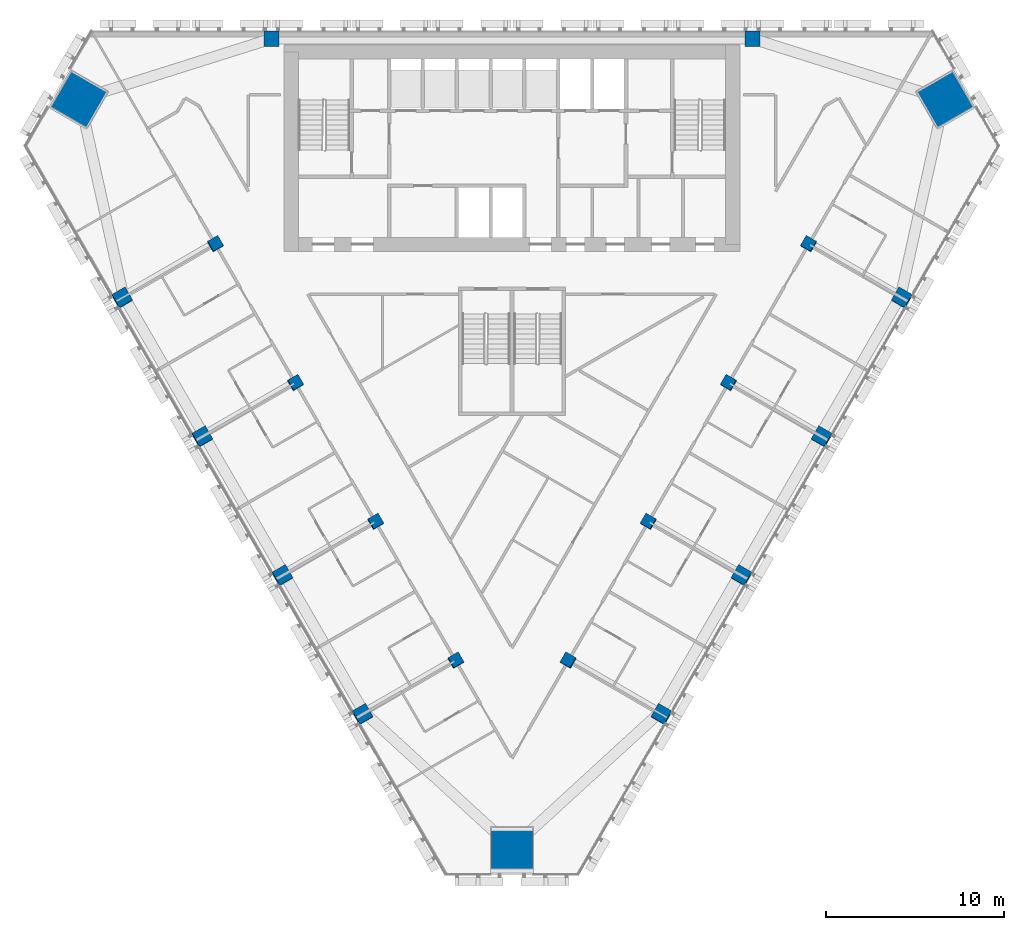
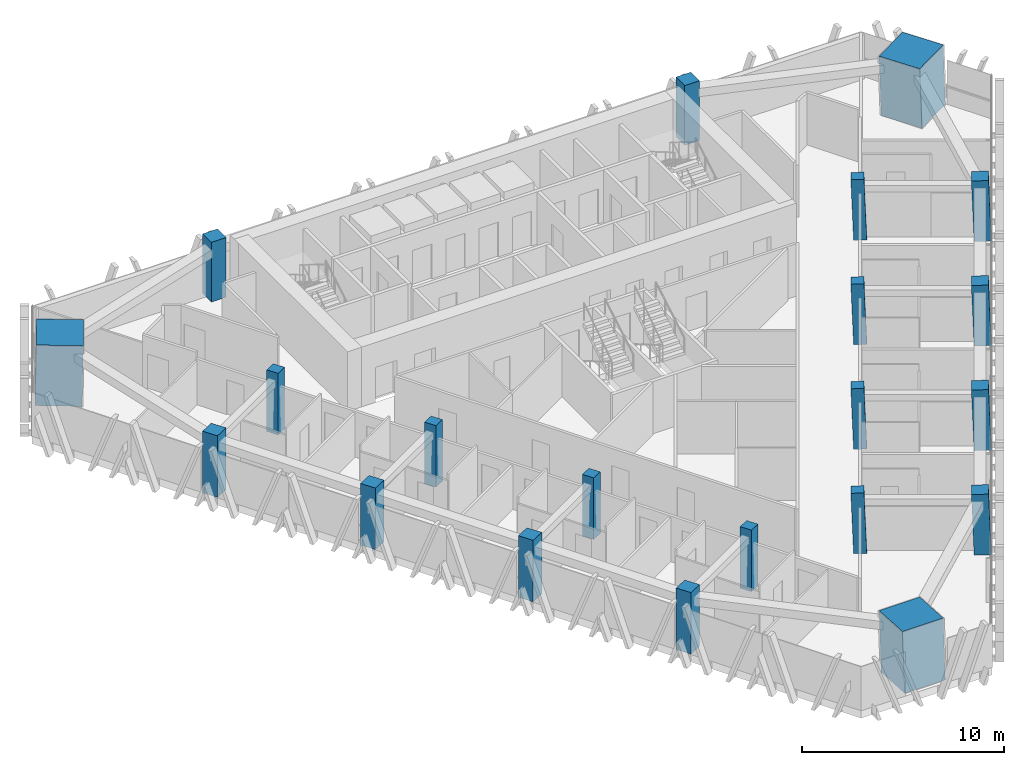
# One storey, part 1 of 16: 21 columns.
"""IFC4 building model written with IfcOpenShell, lengths in metres."""

from ifc_helpers import new_model, si_unit, direction, frame, origin, origin_2d, place, context, subcontext, project, spatial, rectangle, extrude, material, material_profile, profile_set, type_object, element, save


model = new_model("IFC4")

# Units and contexts
model_context = context("Model", 3, precision=1e-05, world=origin(), true_north=direction((0.0, 1.0)))
body_context = subcontext(model_context, "Body", "Model", "MODEL_VIEW")
ifc_project = project(units=[si_unit("LENGTHUNIT", "METRE"), si_unit("AREAUNIT", "SQUARE_METRE"), si_unit("VOLUMEUNIT", "CUBIC_METRE"), si_unit("PLANEANGLEUNIT", "RADIAN"), si_unit("MASSUNIT", "GRAM", prefix="KILO")], contexts=[model_context])

# Site, building, storey
site_placement = place(None, origin())
site = spatial("IfcSite", under=ifc_project, at=site_placement, CompositionType="ELEMENT")
building_placement = place(site_placement, origin())
building = spatial("IfcBuilding", under=site, at=building_placement, Name="Altiplano Prism Tower", CompositionType="ELEMENT")
storey_placement = place(building_placement, frame((0.0, 0.0, 145.800048828125)))
storey = spatial("IfcBuildingStorey", under=building, at=storey_placement, Name="L37", CompositionType="ELEMENT", Elevation=145.800048828125)

# Columns
ifc_material_1 = material(Name="Concrete C60/75", Category="concrete")
ifc_material_profile_1 = material_profile(ifc_material_1, rectangle(XDim=0.64990234375, YDim=0.64990234375, at=origin_2d()), Name="Inner column 650")
ifc_profile_set_1 = profile_set([ifc_material_profile_1], Name="Concrete C60/75")
column_type_1 = type_object("IfcColumnType", Name="Inner column 650", PredefinedType="COLUMN", material=ifc_profile_set_1)
for number, where, z_axis, x_axis, name in (
    (1, (68.331787109375, 93.0126953125, -0.019775390625), (0.022221406801, 0.038413224561, 0.999014831351), (-0.866024047958, -0.498523147388, 0.038432016296), "Inner column I11 L37"),
    (2, (72.831787109375, 85.21826171875, -0.019775390625), (0.02222134892, 0.038480872521, 0.999012229206), (-0.86564209005, -0.49918218391, 0.038482713007), "Inner column I12 L37"),
    (3, (77.331787109375, 77.424072265625, -0.019775390625), (0.02222134892, 0.038480872521, 0.999012229206), (-0.86564209005, -0.49918218391, 0.038482713007), "Inner column I13 L37"),
    (4, (81.831787109375, 69.6298828125, -0.019775390625), (0.02222134892, 0.038480872521, 0.999012229206), (-0.86564209005, -0.49918218391, 0.038482713007), "Inner column I14 L37"),
    (5, (88.168212890625, 69.6298828125, -0.019775390625), (-0.02222134892, 0.038480872521, 0.999012229206), (-0.500169954701, -0.865642171868, 0.022218161432), "Inner column I21 L37"),
    (6, (92.668212890625, 77.424072265625, -0.019775390625), (-0.02222134892, 0.038480872521, 0.999012229206), (-0.500169954701, -0.865642171868, 0.022218161432), "Inner column I22 L37"),
    (7, (97.168212890625, 85.21826171875, -0.019775390625), (-0.02222134892, 0.038480872521, 0.999012229206), (-0.500174592943, -0.865639497158, 0.022217955235), "Inner column I23 L37"),
    (8, (101.668212890625, 93.0126953125, -0.019775390625), (-0.022221406801, 0.038413224561, 0.999014831351), (-0.499512940858, -0.866022219206, 0.022188685317), "Inner column I24 L37"),
):
    element("IfcColumn", number, at=place(storey_placement, frame(where, z_axis=z_axis, x_axis=x_axis)), inside=storey, type_object=column_type_1, Name=name, PredefinedType="COLUMN", context=body_context, shape_type="SweptSolid", body=[
        extrude(rectangle(XDim=0.64990234375, YDim=0.64990234375, at=origin_2d()), origin(), (0.0, 0.0, 1.0), 3.603759765625),
    ])
ifc_material_2 = material(Name="Concrete C70/85", Category="concrete")
ifc_material_profile_2 = material_profile(ifc_material_2, rectangle(XDim=2.320068359375, YDim=2.320068359375, at=origin_2d()), Name="Mega column infill 2400")
ifc_profile_set_2 = profile_set([ifc_material_profile_2], Name="Concrete C70/85")
column_type_2 = type_object("IfcColumnType", Name="Mega column infill 2400", PredefinedType="COLUMN", material=ifc_profile_set_2)
column_1_placement = place(storey_placement, frame((60.626953125, 101.11962890625, 0.0), z_axis=(0.028403721265, 0.009287135593, 0.999553389135), x_axis=(-0.866201877506, 0.49929479911, 0.019975259356)))
element("IfcColumn", 9, at=column_1_placement, inside=storey, type_object=column_type_2, Name="Mega column M0 L37", PredefinedType="COLUMN", context=body_context, shape_type="SweptSolid", body=[
    extrude(rectangle(XDim=2.320068359375, YDim=2.320068359375, at=origin_2d()), origin(), (0.0, 0.0, 1.0), 3.6015625),
])
column_2_placement = place(storey_placement, frame((85.0, 58.904541015625, 0.0), z_axis=(0.0, 0.058360852261, 0.998295552892), x_axis=(-1.0, 0.0, 0.0)))
element("IfcColumn", 10, at=column_2_placement, inside=storey, type_object=column_type_2, Name="Mega column M1 L37", PredefinedType="COLUMN", context=body_context, shape_type="SweptSolid", body=[
    extrude(rectangle(XDim=2.320068359375, YDim=2.320068359375, at=origin_2d()), origin(), (0.0, 0.0, 1.0), 3.60595703125),
])
column_3_placement = place(storey_placement, frame((109.373046875, 101.11962890625, 0.0), z_axis=(-0.028403721265, 0.009287135593, 0.999553389135), x_axis=(0.498883801201, -0.866383831898, 0.022226307065)))
element("IfcColumn", 11, at=column_3_placement, inside=storey, type_object=column_type_2, Name="Mega column M2 L37", PredefinedType="COLUMN", context=body_context, shape_type="SweptSolid", body=[
    extrude(rectangle(XDim=2.320068359375, YDim=2.320068359375, at=origin_2d()), origin(), (0.0, 0.0, 1.0), 3.6015625),
])
ifc_material_profile_3 = material_profile(ifc_material_1, rectangle(XDim=0.85009765625, YDim=0.85009765625, at=origin_2d()), Name="Perimeter column 850")
ifc_profile_set_3 = profile_set([ifc_material_profile_3], Name="Concrete C60/75")
column_type_3 = type_object("IfcColumnType", Name="Perimeter column 850", PredefinedType="COLUMN", material=ifc_profile_set_3)
for number, where, z_axis, x_axis, name in (
    (12, (98.5, 104.550048828125, 0.0), (0.0, 0.0, 1.0), (1.0, 0.0, 0.0), "Perimeter column P01 L37"),
    (13, (71.5, 104.550048828125, 0.0), (0.0, 0.0, 1.0), (1.0, 0.0, 0.0), "Perimeter column P04 L37"),
):
    element("IfcColumn", number, at=place(storey_placement, frame(where, z_axis=z_axis, x_axis=x_axis)), inside=storey, type_object=column_type_3, Name=name, PredefinedType="COLUMN", context=body_context, shape_type="SweptSolid", body=[
        extrude(rectangle(XDim=0.85009765625, YDim=0.85009765625, at=origin_2d()), origin(), (0.0, 0.0, 1.0), 3.599853515625),
    ])
for number, where, z_axis, x_axis, name in (
    (14, (63.09228515625, 89.9873046875, -0.02587890625), (0.02222134892, 0.038480872521, 0.999012229206), (-0.86564209005, -0.49918218391, 0.038482713007), "Perimeter column P11 L37"),
    (15, (67.59228515625, 82.193115234375, -0.02587890625), (0.02222134892, 0.038480872521, 0.999012229206), (-0.86564209005, -0.49918218391, 0.038482713007), "Perimeter column P12 L37"),
    (16, (72.09228515625, 74.39892578125, -0.02587890625), (0.022221406801, 0.038413224561, 0.999014831351), (-0.866024056676, -0.498523132273, 0.038432015909), "Perimeter column P13 L37"),
    (17, (76.59228515625, 66.604736328125, -0.02587890625), (0.022221406801, 0.038413224561, 0.999014831351), (-0.866024056676, -0.498523132273, 0.038432015909), "Perimeter column P14 L37"),
    (18, (93.40771484375, 66.604736328125, -0.02587890625), (-0.022221406801, 0.038413224561, 0.999014831351), (-0.499508300569, -0.866024890386, 0.022188891243), "Perimeter column P21 L37"),
    (19, (97.90771484375, 74.39892578125, -0.02587890625), (-0.022221406801, 0.038413224561, 0.999014831351), (-0.499508300569, -0.866024890386, 0.022188891243), "Perimeter column P22 L37"),
    (20, (102.40771484375, 82.193115234375, -0.02587890625), (-0.02222134892, 0.038480872521, 0.999012229206), (-0.500174577835, -0.86563950587, 0.022217955907), "Perimeter column P23 L37"),
    (21, (106.90771484375, 89.9873046875, -0.02587890625), (-0.02222134892, 0.038480872521, 0.999012229206), (-0.500174577835, -0.86563950587, 0.022217955907), "Perimeter column P24 L37"),
):
    element("IfcColumn", number, at=place(storey_placement, frame(where, z_axis=z_axis, x_axis=x_axis)), inside=storey, type_object=column_type_3, Name=name, PredefinedType="COLUMN", context=body_context, shape_type="SweptSolid", body=[
        extrude(rectangle(XDim=0.85009765625, YDim=0.85009765625, at=origin_2d()), origin(), (0.0, 0.0, 1.0), 3.603759765625),
    ])

save(model, "model.ifc")
